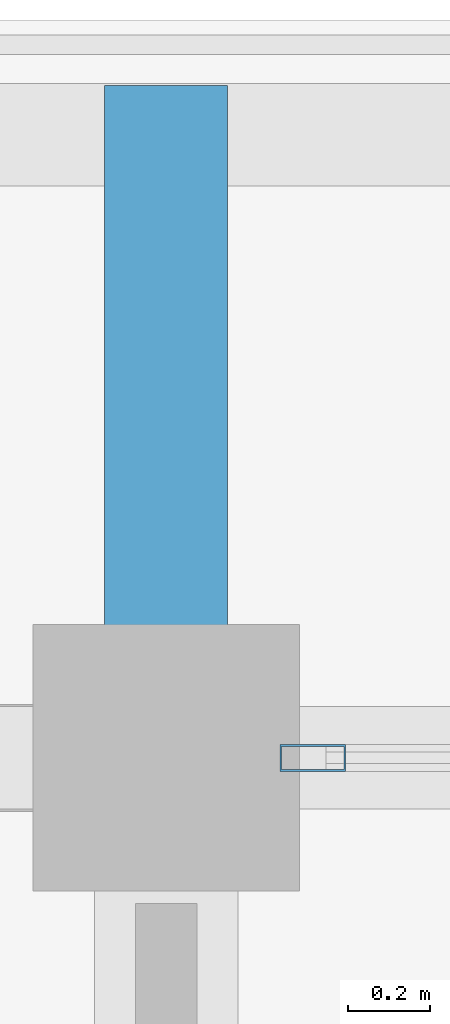
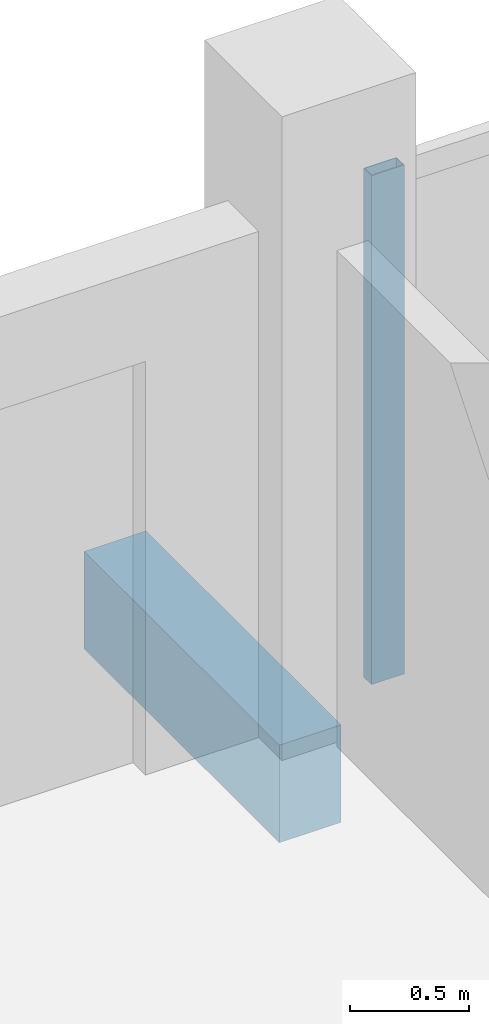
# One storey, part 14 of 75: 1 beam, 1 member, 1 element without a shape of its own.
"""IFC4 building model written with IfcOpenShell, lengths in metres."""

import ifcopenshell
import ifcopenshell.guid

model = None  # the IFC model being written
_history = None  # IfcOwnerHistory: only IFC2X3 demands one
_inside = {}  # id of a spatial element -> (the spatial element, [elements in it])
_under = {}  # id of a project, library or spatial element -> (it, [spatial elements below it])
_declared = {}  # id of a project -> (the project, [libraries it declares])
_typed = {}  # id of a type object -> (the type object, [elements of that type])
_made_of = {}  # id of a material, layer set ... -> (it, [elements and type objects made of it])


def new_model(schema):
    """Start an empty IFC model of exactly this schema.

    Asked for "IFC4X3", IfcOpenShell would pick the latest addendum, in which some entities
    have other attributes; the version numbers below select the first issue.
    IFC2X3 requires an IfcOwnerHistory on every rooted entity: one is made here for all.
    """
    global model, _history
    if schema == "IFC4X3":
        model = ifcopenshell.file(schema_version=(4, 3, 0, 0))
    else:
        model = ifcopenshell.file(schema=schema)
    _inside.clear()
    _under.clear()
    _declared.clear()
    _typed.clear()
    _made_of.clear()
    _history = None
    if model.schema == "IFC2X3":
        org = make("IfcOrganization", Name="unknown")
        user = make(
            "IfcPersonAndOrganization",
            ThePerson=make("IfcPerson", FamilyName="unknown"),
            TheOrganization=org,
        )
        app = make(
            "IfcApplication",
            ApplicationDeveloper=org,
            Version="unknown",
            ApplicationFullName="unknown",
            ApplicationIdentifier="unknown",
        )
        _history = make(
            "IfcOwnerHistory",
            OwningUser=user,
            OwningApplication=app,
            ChangeAction="ADDED",
            CreationDate=0,
        )
    return model


def make(cls, **values):
    """One entity of the class cls with the attributes given. An attribute that is None is left unset."""
    return model.create_entity(
        cls, **{name: value for name, value in values.items() if value is not None}
    )


def rooted(cls, **values):
    """An entity with a GlobalId (a new one), such as an element, a storey or a relation."""
    return make(cls, GlobalId=ifcopenshell.guid.new(), OwnerHistory=_history, **values)


def si_unit(unit_type, name, prefix=None):
    """IfcSIUnit, for example si_unit("LENGTHUNIT", "METRE", prefix="MILLI")."""
    return make("IfcSIUnit", UnitType=unit_type, Prefix=prefix, Name=name)


def assignment(units):
    """IfcUnitAssignment: the units of a project."""
    return None if units is None else make("IfcUnitAssignment", Units=units)


def point(xyz):
    """IfcCartesianPoint."""
    return None if xyz is None else make("IfcCartesianPoint", Coordinates=xyz)


def direction(xyz):
    """IfcDirection."""
    return None if xyz is None else make("IfcDirection", DirectionRatios=xyz)


def frame(location, z_axis=None, x_axis=None):
    """IfcAxis2Placement3D, a coordinate frame: its origin and axes. An axis left out is left unset."""
    return make(
        "IfcAxis2Placement3D",
        Location=point(location),
        Axis=direction(z_axis),
        RefDirection=direction(x_axis),
    )


def frame_2d(location, x_axis=None):
    """IfcAxis2Placement2D, a coordinate frame in the plane: its origin and x axis."""
    return make(
        "IfcAxis2Placement2D", Location=point(location), RefDirection=direction(x_axis)
    )


def origin():
    """The frame at (0, 0, 0) with its axes left unset."""
    return frame((0.0, 0.0, 0.0))


def origin_2d():
    """The frame at (0, 0) in the plane with its x axis left unset."""
    return frame_2d((0.0, 0.0))


def place(relative_to, where):
    """IfcLocalPlacement: puts the frame where relative to a parent placement (None: the world)."""
    return make(
        "IfcLocalPlacement", PlacementRelTo=relative_to, RelativePlacement=where
    )


def context(
    kind, dimensions, precision=None, world=None, true_north=None, identifier=None
):
    """IfcGeometricRepresentationContext, for example the 3D "Model" context."""
    return make(
        "IfcGeometricRepresentationContext",
        ContextIdentifier=identifier,
        ContextType=kind,
        CoordinateSpaceDimension=dimensions,
        Precision=precision,
        WorldCoordinateSystem=world,
        TrueNorth=true_north,
    )


def subcontext(parent, identifier, kind, view, scale=None):
    """IfcGeometricRepresentationSubContext, for example "Body" below "Model"."""
    return make(
        "IfcGeometricRepresentationSubContext",
        ContextIdentifier=identifier,
        ContextType=kind,
        ParentContext=parent,
        TargetScale=scale,
        TargetView=view,
    )


def project(units=None, contexts=None):
    """IfcProject with its units and contexts."""
    return rooted(
        "IfcProject",
        Name="project",
        RepresentationContexts=contexts,
        UnitsInContext=assignment(units),
    )


def spatial(cls, under=None, at=None, **own):
    """A site, building, storey or space (cls), placed at a placement, below another one or the project."""
    s = rooted(cls, ObjectPlacement=at, **own)
    if under is not None:
        _under.setdefault(under.id(), (under, []))[1].append(s)
    return s


def profile(cls, at=None, kind="AREA", **sizes):
    """A parametric profile (cls). Its sizes go by their IFC names, for example OverallWidth=200.0."""
    return make(cls, ProfileType=kind, Position=at, **sizes)


def rectangle(**sizes):
    """IfcRectangleProfileDef."""
    return profile("IfcRectangleProfileDef", **sizes)


def hollow_rectangle(**sizes):
    """IfcRectangleHollowProfileDef."""
    return profile("IfcRectangleHollowProfileDef", **sizes)


def extrude(swept, where, along, depth):
    """IfcExtrudedAreaSolid: the profile swept, set in the frame where, extruded along a direction by depth."""
    return make(
        "IfcExtrudedAreaSolid",
        SweptArea=swept,
        Position=where,
        ExtrudedDirection=direction(along),
        Depth=depth,
    )


def shape(context_of_items, identifier, shape_type, items):
    """IfcShapeRepresentation: the items that make up one representation, for example the "Body"."""
    return make(
        "IfcShapeRepresentation",
        ContextOfItems=context_of_items,
        RepresentationIdentifier=identifier,
        RepresentationType=shape_type,
        Items=items,
    )


def material(Name=None, Category=None):
    """IfcMaterial."""
    return make("IfcMaterial", Name=Name, Category=Category)


def material_profile(
    of_material, cross_section, Name=None, Category=None, Priority=None
):
    """IfcMaterialProfile: a cross section and its material."""
    return make(
        "IfcMaterialProfile",
        Name=Name,
        Material=of_material,
        Profile=cross_section,
        Priority=Priority,
        Category=Category,
    )


def profile_set(profiles, Name=None, composite=None):
    """IfcMaterialProfileSet."""
    return make(
        "IfcMaterialProfileSet",
        Name=Name,
        MaterialProfiles=profiles,
        CompositeProfile=composite,
    )


def made_of(thing, what):
    """Note that an element or type object is made of a material, layer set ...; save() writes the relation."""
    if what is not None:
        _made_of.setdefault(what.id(), (what, []))[1].append(thing)
    return thing


def type_object(cls, material=None, **own):
    """A type object (cls), such as IfcWallType, which elements share."""
    return made_of(rooted(cls, **own), material)


def element(
    cls,
    number,
    at=None,
    inside=None,
    cuts=None,
    type_object=None,
    material=None,
    context=None,
    identifier="Body",
    shape_type=None,
    held_by="IfcProductDefinitionShape",
    body=None,
    shapes=None,
    **own,
):
    """One element of the class cls, such as IfcWall. Its Tag is "e" and its number.

    at: its placement. inside: the storey or other place that contains it. cuts: it is an
    opening in that element (IfcRelVoidsElement). A single representation is given by context,
    identifier, shape_type and body (its items); several are given by shapes. held_by: the class
    of the entity that holds the representations. save() writes the other relations.
    """
    e = rooted(cls, Tag="e%d" % number, ObjectPlacement=at, **own)
    if body is not None:
        shapes = [shape(context, identifier, shape_type, body)]
    if shapes is not None:
        e.Representation = make(held_by, Representations=shapes)
    if inside is not None:
        _inside.setdefault(inside.id(), (inside, []))[1].append(e)
    if cuts is not None:
        rooted(
            "IfcRelVoidsElement", RelatingBuildingElement=cuts, RelatedOpeningElement=e
        )
    if type_object is not None:
        _typed.setdefault(type_object.id(), (type_object, []))[1].append(e)
    return made_of(e, material)


def aggregate(whole, parts):
    """IfcRelAggregates: a whole, such as a stair, and the parts it consists of."""
    return rooted("IfcRelAggregates", RelatingObject=whole, RelatedObjects=parts)


def save(model, path):
    """Write the relations noted so far, then the file.

    IfcRelAggregates (storeys below a building ...), IfcRelContainedInSpatialStructure (elements
    in a storey), IfcRelDefinesByType, IfcRelAssociatesMaterial and IfcRelDeclares: one each for
    every whole, place, type object, material and project.
    """
    for whole, parts in _under.values():
        aggregate(whole, parts)
    for where, things in _inside.values():
        rooted(
            "IfcRelContainedInSpatialStructure",
            RelatedElements=things,
            RelatingStructure=where,
        )
    for kind, things in _typed.values():
        rooted("IfcRelDefinesByType", RelatedObjects=things, RelatingType=kind)
    for what, things in _made_of.values():
        rooted("IfcRelAssociatesMaterial", RelatedObjects=things, RelatingMaterial=what)
    for by, libraries in _declared.values():
        rooted("IfcRelDeclares", RelatingContext=by, RelatedDefinitions=libraries)
    model.write(path)


model = new_model("IFC4")

# Units and contexts
model_context = context("Model", 3, precision=1e-05, world=origin(), true_north=direction((0.0, 1.0)))
body_context = subcontext(model_context, "Body", "Model", "MODEL_VIEW")
ifc_project = project(units=[si_unit("LENGTHUNIT", "METRE"), si_unit("AREAUNIT", "SQUARE_METRE"), si_unit("VOLUMEUNIT", "CUBIC_METRE"), si_unit("PLANEANGLEUNIT", "RADIAN"), si_unit("MASSUNIT", "GRAM", prefix="KILO")], contexts=[model_context])

# Site, building, storey
site_placement = place(None, origin())
site = spatial("IfcSite", under=ifc_project, at=site_placement, CompositionType="ELEMENT")
building_placement = place(site_placement, origin())
building = spatial("IfcBuilding", under=site, at=building_placement, Name="Suanplinth Sawtooth Commons", CompositionType="ELEMENT")
storey_placement = place(building_placement, frame((0.0, 0.0, 18.60009765625)))
storey = spatial("IfcBuildingStorey", under=building, at=storey_placement, Name="L05", CompositionType="ELEMENT", Elevation=18.60009765625)

# Beam
ifc_material_1 = material(Name="Precast concrete C40/50", Category="concrete")
ifc_material_profile_1 = material_profile(ifc_material_1, rectangle(XDim=0.300048828125, YDim=0.5, at=origin_2d()), Name="PC-BM 300x500")
ifc_profile_set_1 = profile_set([ifc_material_profile_1], Name="Precast concrete C40/50")
beam_type = type_object("IfcBeamType", Name="B-07", PredefinedType="BEAM", material=ifc_profile_set_1)
beam_placement = place(storey_placement, frame((57.60009765625, 122.39990234375, -0.43017578125), z_axis=(0.0, 1.0, 0.0), x_axis=(-1.0, 0.0, 0.0)))
element("IfcBeam", 1, at=beam_placement, inside=storey, type_object=beam_type, Name="Balcony Outrigger L05-A-N-8", PredefinedType="BEAM", context=body_context, shape_type="SweptSolid", body=[
    extrude(rectangle(XDim=0.300048828125, YDim=0.5, at=origin_2d()), origin(), (0.0, 0.0, 1.0), 1.64013671875),
])

# Curtain wall, member
ifc_material_2 = material(Name="Anodized aluminium and low-E glazing", Category="aluminium")
curtain_wall_type = type_object("IfcCurtainWallType", Name="CW-06", PredefinedType="USERDEFINED", material=ifc_material_2)
curtain_wall_placement = place(storey_placement, origin())
curtain_wall = element("IfcCurtainWall", 2, at=curtain_wall_placement, inside=storey, type_object=curtain_wall_type, Name="Curtain Wall CW-L05-A-LOUNGE-8", ObjectType="CURTAIN WALL", PredefinedType="USERDEFINED")
ifc_material_3 = material(Name="Anodized aluminium 6063-T6", Category="aluminium")
ifc_material_profile_2 = material_profile(ifc_material_3, hollow_rectangle(XDim=0.06494140625, YDim=0.159912109375, WallThickness=0.00390625, at=origin_2d()), Name="ALU-MUL 65x160")
ifc_profile_set_2 = profile_set([ifc_material_profile_2], Name="Anodized aluminium 6063-T6")
member_type = type_object("IfcMemberType", Name="M-13", PredefinedType="MULLION", material=ifc_profile_set_2)
member_placement = place(storey_placement, frame((57.95751953125, 122.39990234375, 0.0), z_axis=(0.0, 0.0, 1.0), x_axis=(0.0, 1.0, 0.0)))
member = element("IfcMember", 3, at=member_placement, type_object=member_type, Name="CW-06 mullion 1", PredefinedType="MULLION", context=body_context, shape_type="SweptSolid", body=[
    extrude(hollow_rectangle(XDim=0.06494140625, YDim=0.159912109375, WallThickness=0.00390625, at=origin_2d()), origin(), (0.0, 0.0, 1.0), 2.60986328125),
])
aggregate(curtain_wall, [member])

save(model, "model.ifc")
